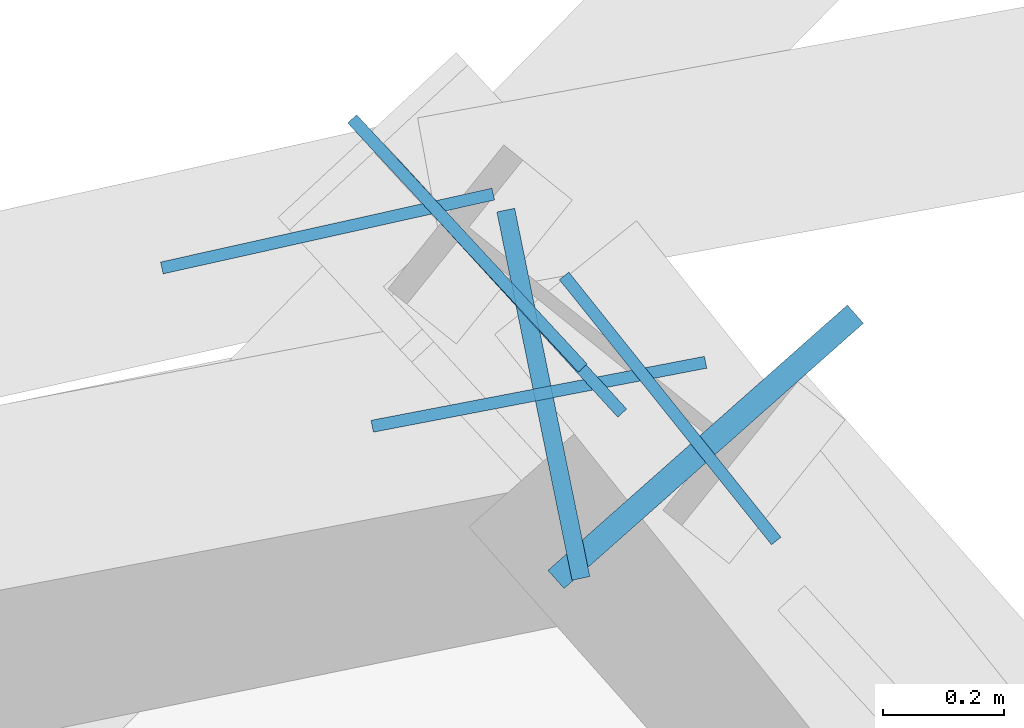
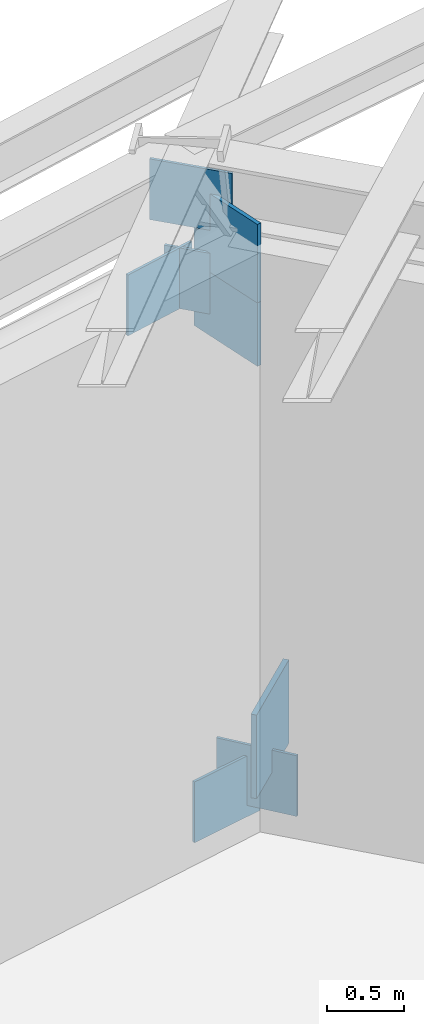
# One storey, part 8 of 15: 8 plates.
"""IFC4 building model written with IfcOpenShell, lengths in metres."""

from ifc_helpers import new_model, si_unit, direction, frame, origin, origin_2d, place, context, subcontext, project, spatial, rectangle, extrude, source, transform, mapped, material, type_object, element, save


model = new_model("IFC4")

# Units and contexts
model_context = context("Model", 3, precision=1e-05, world=origin(), true_north=direction((0.0, 1.0)))
body_context = subcontext(model_context, "Body", "Model", "MODEL_VIEW")
ifc_project = project(units=[si_unit("LENGTHUNIT", "METRE"), si_unit("AREAUNIT", "SQUARE_METRE"), si_unit("VOLUMEUNIT", "CUBIC_METRE"), si_unit("PLANEANGLEUNIT", "RADIAN"), si_unit("MASSUNIT", "GRAM", prefix="KILO")], contexts=[model_context])

# Site, building, storey
site_placement = place(None, origin())
site = spatial("IfcSite", under=ifc_project, at=site_placement, CompositionType="ELEMENT")
building_placement = place(site_placement, origin())
building = spatial("IfcBuilding", under=site, at=building_placement, Name="Olszyna Solenne Hotel", CompositionType="ELEMENT")
storey_placement = place(building_placement, frame((0.0, 0.0, 204.300048828125)))
storey = spatial("IfcBuildingStorey", under=building, at=storey_placement, Name="L54", CompositionType="ELEMENT", Elevation=204.300048828125)

# Plates
ifc_material_1 = material(Name="Steel S460M", Category="steel")
plate_type_1 = type_object("IfcPlateType", Name="GP-CAP2", PredefinedType="USERDEFINED", material=ifc_material_1)
shared_shape_1 = source(origin(), body_context, "Body", "SweptSolid", [
    extrude(rectangle(XDim=0.030029296875, YDim=0.6201171875, at=origin_2d()), origin(), (0.0, 0.0, 1.0), 0.6201171875),
])
for number, where, z_axis, x_axis, name in (
    (1, (58.3505859375, 46.944580078125, 3.619873046875), (0.0, 0.0, 1.0), (-0.979785280755, -0.200052002278, 0.0), "Hollow section end-cap plate GP-CAP2 CP-WT-WT-L54-11-1"),
    (2, (58.3505859375, 46.944580078125, 4.119873046875), (0.0, 0.0, 1.0), (-0.979785280755, -0.200052002278, 0.0), "Hollow section end-cap plate GP-CAP2 CP-WT-WT-L54-12-1"),
):
    element("IfcPlate", number, at=place(storey_placement, frame(where, z_axis=z_axis, x_axis=x_axis)), inside=storey, type_object=plate_type_1, Name=name, ObjectType="GUSSET_PLATE", PredefinedType="USERDEFINED", context=body_context, shape_type="MappedRepresentation", body=[
        mapped(shared_shape_1, transform((0.0, 0.0, 0.0), x_axis=(1.0, 0.0, 0.0), y_axis=(0.0, 1.0, 0.0), z_axis=(0.0, 0.0, 1.0), scale=1.0)),
    ])
ifc_material_2 = material(Name="Steel S355J2", Category="steel")
plate_type_2 = type_object("IfcPlateType", Name="GP-ND2", PredefinedType="USERDEFINED", material=ifc_material_2)
shared_shape_2 = source(origin(), body_context, "Body", "SweptSolid", [
    extrude(rectangle(XDim=0.56005859375, YDim=0.02001953125, at=origin_2d()), origin(), (0.0, 0.0, 1.0), 0.47998046875),
])
for number, where, z_axis, x_axis, name in (
    (3, (58.225341796875, 47.193359375, 4.450927734375), (0.0, 0.0, 1.0), (-0.679185142834, 0.733966989553, 0.0), "Brace end connection gusset plate GP-ND2 EP-BR-L54-1-2"),
    (4, (58.291748046875, 47.1201171875, 3.7900390625), (0.0, 0.0, 1.0), (-0.6749465546, 0.737866619677, 0.0), "Brace end connection gusset plate GP-ND2 EP-CH-L54-01-2"),
    (5, (58.559814453125, 46.921142578125, -0.084228515625), (0.0, 0.0, 1.0), (0.624970196645, -0.780648610647, 0.0), "Brace end connection gusset plate GP-ND2 EP-BT-L54-01-2-1"),
    (6, (57.99462890625, 47.2138671875, 3.7900390625), (0.0, 0.0, 1.0), (-0.976068816814, -0.217461869863, 0.0), "Brace end connection gusset plate GP-ND2 EP-CH-L54-02-1"),
    (7, (58.34326171875, 46.944580078125, -0.173828125), (0.0, 0.0, 1.0), (-0.982090486912, -0.188409860458, 0.0), "Brace end connection gusset plate GP-ND2 EP-BT-L54-02-1-1"),
):
    element("IfcPlate", number, at=place(storey_placement, frame(where, z_axis=z_axis, x_axis=x_axis)), inside=storey, type_object=plate_type_2, Name=name, ObjectType="GUSSET_PLATE", PredefinedType="USERDEFINED", context=body_context, shape_type="MappedRepresentation", body=[
        mapped(shared_shape_2, transform((0.0, 0.0, 0.0), x_axis=(1.0, 0.0, 0.0), y_axis=(0.0, 1.0, 0.0), z_axis=(0.0, 0.0, 1.0), scale=1.0)),
    ])
plate_type_3 = type_object("IfcPlateType", Name="GP-CAP1", PredefinedType="USERDEFINED", material=ifc_material_1)
shared_shape_3 = source(origin(), body_context, "Body", "SweptSolid", [
    extrude(rectangle(XDim=0.0400390625, YDim=0.659912109375, at=origin_2d()), origin(), (0.0, 0.0, 1.0), 0.659912109375),
])
plate_placement = place(storey_placement, frame((58.618408203125, 46.85791015625, 0.22021484375), z_axis=(0.0, 0.0, 1.0), x_axis=(-0.66327338299, 0.748377190605, 0.0)))
element("IfcPlate", 8, at=plate_placement, inside=storey, type_object=plate_type_3, Name="Hollow section end-cap plate GP-CAP1 CP-CTB-CTB-L54-1-2", ObjectType="GUSSET_PLATE", PredefinedType="USERDEFINED", context=body_context, shape_type="MappedRepresentation", body=[
    mapped(shared_shape_3, transform((0.0, 0.0, 0.0), x_axis=(1.0, 0.0, 0.0), y_axis=(0.0, 1.0, 0.0), z_axis=(0.0, 0.0, 1.0), scale=1.0)),
])

save(model, "model.ifc")
